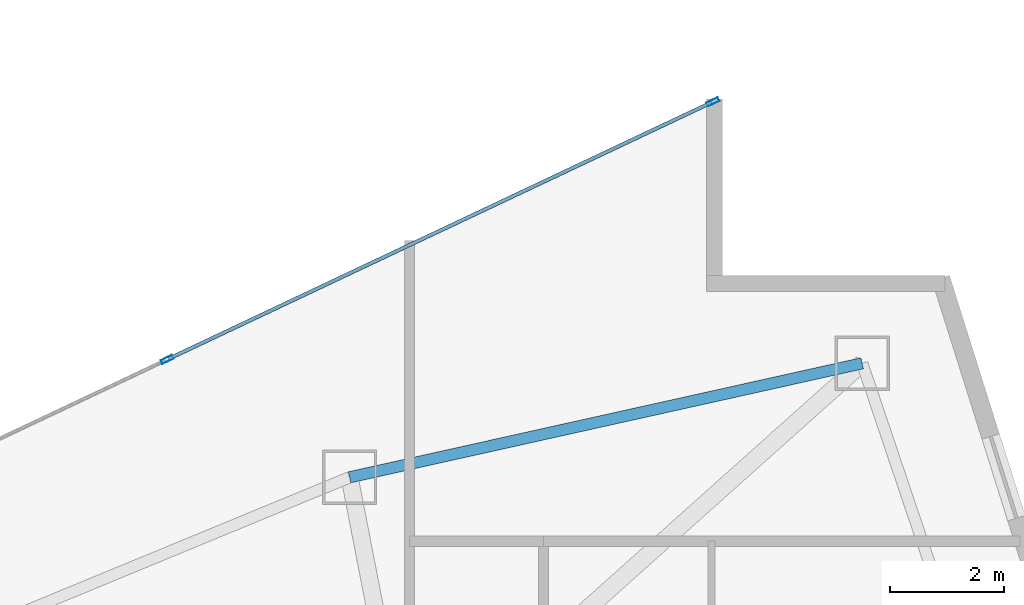
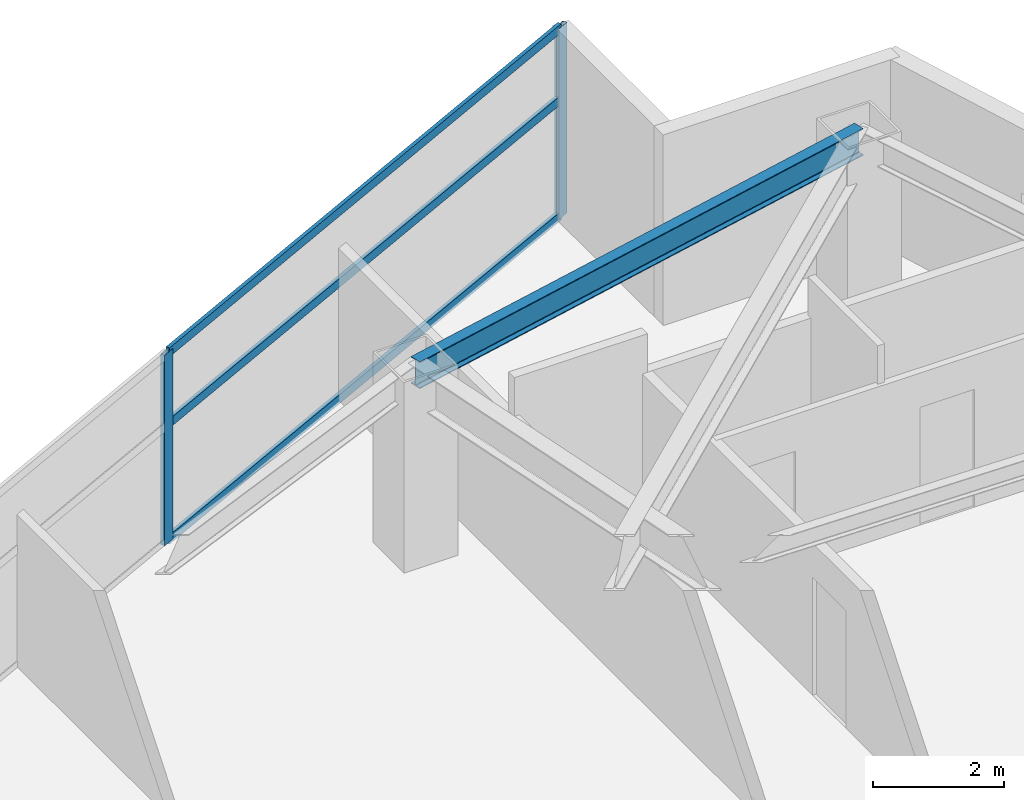
# One storey, part 20 of 29: 5 members, 1 beam, 1 element without a shape of its own.
"""IFC4 building model written with IfcOpenShell, lengths in metres."""

import ifcopenshell
import ifcopenshell.guid

model = None  # the IFC model being written
_history = None  # IfcOwnerHistory: only IFC2X3 demands one
_inside = {}  # id of a spatial element -> (the spatial element, [elements in it])
_under = {}  # id of a project, library or spatial element -> (it, [spatial elements below it])
_declared = {}  # id of a project -> (the project, [libraries it declares])
_typed = {}  # id of a type object -> (the type object, [elements of that type])
_made_of = {}  # id of a material, layer set ... -> (it, [elements and type objects made of it])


def new_model(schema):
    """Start an empty IFC model of exactly this schema.

    Asked for "IFC4X3", IfcOpenShell would pick the latest addendum, in which some entities
    have other attributes; the version numbers below select the first issue.
    IFC2X3 requires an IfcOwnerHistory on every rooted entity: one is made here for all.
    """
    global model, _history
    if schema == "IFC4X3":
        model = ifcopenshell.file(schema_version=(4, 3, 0, 0))
    else:
        model = ifcopenshell.file(schema=schema)
    _inside.clear()
    _under.clear()
    _declared.clear()
    _typed.clear()
    _made_of.clear()
    _history = None
    if model.schema == "IFC2X3":
        org = make("IfcOrganization", Name="unknown")
        user = make(
            "IfcPersonAndOrganization",
            ThePerson=make("IfcPerson", FamilyName="unknown"),
            TheOrganization=org,
        )
        app = make(
            "IfcApplication",
            ApplicationDeveloper=org,
            Version="unknown",
            ApplicationFullName="unknown",
            ApplicationIdentifier="unknown",
        )
        _history = make(
            "IfcOwnerHistory",
            OwningUser=user,
            OwningApplication=app,
            ChangeAction="ADDED",
            CreationDate=0,
        )
    return model


def make(cls, **values):
    """One entity of the class cls with the attributes given. An attribute that is None is left unset."""
    return model.create_entity(
        cls, **{name: value for name, value in values.items() if value is not None}
    )


def rooted(cls, **values):
    """An entity with a GlobalId (a new one), such as an element, a storey or a relation."""
    return make(cls, GlobalId=ifcopenshell.guid.new(), OwnerHistory=_history, **values)


def si_unit(unit_type, name, prefix=None):
    """IfcSIUnit, for example si_unit("LENGTHUNIT", "METRE", prefix="MILLI")."""
    return make("IfcSIUnit", UnitType=unit_type, Prefix=prefix, Name=name)


def assignment(units):
    """IfcUnitAssignment: the units of a project."""
    return None if units is None else make("IfcUnitAssignment", Units=units)


def point(xyz):
    """IfcCartesianPoint."""
    return None if xyz is None else make("IfcCartesianPoint", Coordinates=xyz)


def direction(xyz):
    """IfcDirection."""
    return None if xyz is None else make("IfcDirection", DirectionRatios=xyz)


def frame(location, z_axis=None, x_axis=None):
    """IfcAxis2Placement3D, a coordinate frame: its origin and axes. An axis left out is left unset."""
    return make(
        "IfcAxis2Placement3D",
        Location=point(location),
        Axis=direction(z_axis),
        RefDirection=direction(x_axis),
    )


def frame_2d(location, x_axis=None):
    """IfcAxis2Placement2D, a coordinate frame in the plane: its origin and x axis."""
    return make(
        "IfcAxis2Placement2D", Location=point(location), RefDirection=direction(x_axis)
    )


def origin():
    """The frame at (0, 0, 0) with its axes left unset."""
    return frame((0.0, 0.0, 0.0))


def origin_2d():
    """The frame at (0, 0) in the plane with its x axis left unset."""
    return frame_2d((0.0, 0.0))


def place(relative_to, where):
    """IfcLocalPlacement: puts the frame where relative to a parent placement (None: the world)."""
    return make(
        "IfcLocalPlacement", PlacementRelTo=relative_to, RelativePlacement=where
    )


def context(
    kind, dimensions, precision=None, world=None, true_north=None, identifier=None
):
    """IfcGeometricRepresentationContext, for example the 3D "Model" context."""
    return make(
        "IfcGeometricRepresentationContext",
        ContextIdentifier=identifier,
        ContextType=kind,
        CoordinateSpaceDimension=dimensions,
        Precision=precision,
        WorldCoordinateSystem=world,
        TrueNorth=true_north,
    )


def subcontext(parent, identifier, kind, view, scale=None):
    """IfcGeometricRepresentationSubContext, for example "Body" below "Model"."""
    return make(
        "IfcGeometricRepresentationSubContext",
        ContextIdentifier=identifier,
        ContextType=kind,
        ParentContext=parent,
        TargetScale=scale,
        TargetView=view,
    )


def project(units=None, contexts=None):
    """IfcProject with its units and contexts."""
    return rooted(
        "IfcProject",
        Name="project",
        RepresentationContexts=contexts,
        UnitsInContext=assignment(units),
    )


def spatial(cls, under=None, at=None, **own):
    """A site, building, storey or space (cls), placed at a placement, below another one or the project."""
    s = rooted(cls, ObjectPlacement=at, **own)
    if under is not None:
        _under.setdefault(under.id(), (under, []))[1].append(s)
    return s


def profile(cls, at=None, kind="AREA", **sizes):
    """A parametric profile (cls). Its sizes go by their IFC names, for example OverallWidth=200.0."""
    return make(cls, ProfileType=kind, Position=at, **sizes)


def hollow_rectangle(**sizes):
    """IfcRectangleHollowProfileDef."""
    return profile("IfcRectangleHollowProfileDef", **sizes)


def i_section(**sizes):
    """IfcIShapeProfileDef."""
    return profile("IfcIShapeProfileDef", **sizes)


def extrude(swept, where, along, depth):
    """IfcExtrudedAreaSolid: the profile swept, set in the frame where, extruded along a direction by depth."""
    return make(
        "IfcExtrudedAreaSolid",
        SweptArea=swept,
        Position=where,
        ExtrudedDirection=direction(along),
        Depth=depth,
    )


def shape(context_of_items, identifier, shape_type, items):
    """IfcShapeRepresentation: the items that make up one representation, for example the "Body"."""
    return make(
        "IfcShapeRepresentation",
        ContextOfItems=context_of_items,
        RepresentationIdentifier=identifier,
        RepresentationType=shape_type,
        Items=items,
    )


def material(Name=None, Category=None):
    """IfcMaterial."""
    return make("IfcMaterial", Name=Name, Category=Category)


def layer(
    of_material, thickness, ventilated=None, Name=None, Category=None, Priority=None
):
    """IfcMaterialLayer: one layer of a wall or slab, of a material (None: an air gap)."""
    return make(
        "IfcMaterialLayer",
        Material=of_material,
        LayerThickness=thickness,
        IsVentilated=ventilated,
        Name=Name,
        Category=Category,
        Priority=Priority,
    )


def layer_set(layers, Name=None):
    """IfcMaterialLayerSet."""
    return make("IfcMaterialLayerSet", MaterialLayers=layers, LayerSetName=Name)


def material_profile(
    of_material, cross_section, Name=None, Category=None, Priority=None
):
    """IfcMaterialProfile: a cross section and its material."""
    return make(
        "IfcMaterialProfile",
        Name=Name,
        Material=of_material,
        Profile=cross_section,
        Priority=Priority,
        Category=Category,
    )


def profile_set(profiles, Name=None, composite=None):
    """IfcMaterialProfileSet."""
    return make(
        "IfcMaterialProfileSet",
        Name=Name,
        MaterialProfiles=profiles,
        CompositeProfile=composite,
    )


def made_of(thing, what):
    """Note that an element or type object is made of a material, layer set ...; save() writes the relation."""
    if what is not None:
        _made_of.setdefault(what.id(), (what, []))[1].append(thing)
    return thing


def type_object(cls, material=None, **own):
    """A type object (cls), such as IfcWallType, which elements share."""
    return made_of(rooted(cls, **own), material)


def element(
    cls,
    number,
    at=None,
    inside=None,
    cuts=None,
    type_object=None,
    material=None,
    context=None,
    identifier="Body",
    shape_type=None,
    held_by="IfcProductDefinitionShape",
    body=None,
    shapes=None,
    **own,
):
    """One element of the class cls, such as IfcWall. Its Tag is "e" and its number.

    at: its placement. inside: the storey or other place that contains it. cuts: it is an
    opening in that element (IfcRelVoidsElement). A single representation is given by context,
    identifier, shape_type and body (its items); several are given by shapes. held_by: the class
    of the entity that holds the representations. save() writes the other relations.
    """
    e = rooted(cls, Tag="e%d" % number, ObjectPlacement=at, **own)
    if body is not None:
        shapes = [shape(context, identifier, shape_type, body)]
    if shapes is not None:
        e.Representation = make(held_by, Representations=shapes)
    if inside is not None:
        _inside.setdefault(inside.id(), (inside, []))[1].append(e)
    if cuts is not None:
        rooted(
            "IfcRelVoidsElement", RelatingBuildingElement=cuts, RelatedOpeningElement=e
        )
    if type_object is not None:
        _typed.setdefault(type_object.id(), (type_object, []))[1].append(e)
    return made_of(e, material)


def aggregate(whole, parts):
    """IfcRelAggregates: a whole, such as a stair, and the parts it consists of."""
    return rooted("IfcRelAggregates", RelatingObject=whole, RelatedObjects=parts)


def save(model, path):
    """Write the relations noted so far, then the file.

    IfcRelAggregates (storeys below a building ...), IfcRelContainedInSpatialStructure (elements
    in a storey), IfcRelDefinesByType, IfcRelAssociatesMaterial and IfcRelDeclares: one each for
    every whole, place, type object, material and project.
    """
    for whole, parts in _under.values():
        aggregate(whole, parts)
    for where, things in _inside.values():
        rooted(
            "IfcRelContainedInSpatialStructure",
            RelatedElements=things,
            RelatingStructure=where,
        )
    for kind, things in _typed.values():
        rooted("IfcRelDefinesByType", RelatedObjects=things, RelatingType=kind)
    for what, things in _made_of.values():
        rooted("IfcRelAssociatesMaterial", RelatedObjects=things, RelatingMaterial=what)
    for by, libraries in _declared.values():
        rooted("IfcRelDeclares", RelatingContext=by, RelatedDefinitions=libraries)
    model.write(path)


model = new_model("IFC4")

# Units and contexts
model_context = context("Model", 3, precision=1e-05, world=origin(), true_north=direction((0.0, 1.0)))
body_context = subcontext(model_context, "Body", "Model", "MODEL_VIEW")
ifc_project = project(units=[si_unit("LENGTHUNIT", "METRE"), si_unit("AREAUNIT", "SQUARE_METRE"), si_unit("VOLUMEUNIT", "CUBIC_METRE"), si_unit("PLANEANGLEUNIT", "RADIAN"), si_unit("MASSUNIT", "GRAM", prefix="KILO")], contexts=[model_context])

# Site, building, storey
site_placement = place(None, origin())
site = spatial("IfcSite", under=ifc_project, at=site_placement, CompositionType="ELEMENT")
building_placement = place(site_placement, origin())
building = spatial("IfcBuilding", under=site, at=building_placement, Name="Calvorn Quay Hotel", CompositionType="ELEMENT")
storey_placement = place(building_placement, frame((0.0, 0.0, 34.60009765625)))
storey = spatial("IfcBuildingStorey", under=building, at=storey_placement, Name="L07", CompositionType="ELEMENT", Elevation=34.60009765625)

# Beam
ifc_material_1 = material(Name="Steel Q355B", Category="steel")
ifc_material_profile_1 = material_profile(ifc_material_1, i_section(OverallWidth=0.199951171875, OverallDepth=0.5, WebThickness=0.010009765625, FlangeThickness=0.01611328125, FilletRadius=0.01611328125, at=origin_2d()), Name="HN500x200x10x16")
ifc_profile_set_1 = profile_set([ifc_material_profile_1], Name="Steel Q355B")
beam_type = type_object("IfcBeamType", Name="BM-SPANDREL-Z1", PredefinedType="SPANDREL", material=ifc_profile_set_1)
beam_placement = place(storey_placement, frame((52.990966796875, 33.39990234375, 3.289794921875), z_axis=(-0.976140886259, -0.217138136156, 0.0), x_axis=(0.217138136156, -0.976140886259, 0.0)))
element("IfcBeam", 1, at=beam_placement, inside=storey, type_object=beam_type, Name="Beam BSP-L07-E3", PredefinedType="SPANDREL", context=body_context, shape_type="SweptSolid", body=[
    extrude(i_section(OverallWidth=0.199951171875, OverallDepth=0.5, WebThickness=0.010009765625, FlangeThickness=0.01611328125, FilletRadius=0.01611328125, at=origin_2d()), origin(), (0.0, 0.0, 1.0), 9.210693359375),
])

# Curtain wall, members
ifc_material_2 = material(Name="Pale Anodised Aluminium and Low-E Glass", Category="aluminium")
ifc_layer = layer(ifc_material_2, 0.219970703125)
ifc_layer_set = layer_set([ifc_layer], Name="CW-SYS-Z1")
curtain_wall_type = type_object("IfcCurtainWallType", Name="CW-SYS-Z1", PredefinedType="NOTDEFINED", material=ifc_layer_set)
curtain_wall_placement = place(storey_placement, origin())
curtain_wall = element("IfcCurtainWall", 2, at=curtain_wall_placement, inside=storey, type_object=curtain_wall_type, Name="Inner Court Curtain Wall L07-NE1", PredefinedType="NOTDEFINED")
ifc_material_3 = material(Name="Pale Anodised Aluminium 6063-T6", Category="aluminium")
ifc_material_profile_2 = material_profile(ifc_material_3, hollow_rectangle(XDim=0.074951171875, YDim=0.219970703125, WallThickness=0.00439453125, at=origin_2d()), Name="ALU-M220x75x4.5")
ifc_profile_set_2 = profile_set([ifc_material_profile_2], Name="Pale Anodised Aluminium 6063-T6")
member_type_1 = type_object("IfcMemberType", Name="CW-SYS-Z1-MUL", PredefinedType="MULLION", material=ifc_profile_set_2)
member_1_placement = place(storey_placement, frame((50.372802734375, 37.9873046875, 0.0), z_axis=(0.0, 0.0, 1.0), x_axis=(0.427006305415, -0.904248646743, 0.0)))
member_1 = element("IfcMember", 3, at=member_1_placement, type_object=member_type_1, Name="CW-L07-NE1 mullion 1", PredefinedType="MULLION", context=body_context, shape_type="SweptSolid", body=[
    extrude(hollow_rectangle(XDim=0.074951171875, YDim=0.219970703125, WallThickness=0.00439453125, at=origin_2d()), origin(), (0.0, 0.0, 1.0), 3.559814453125),
])
member_2_placement = place(storey_placement, frame((40.800048828125, 33.466552734375, 0.0), z_axis=(0.0, 0.0, 1.0), x_axis=(0.427006305415, -0.904248646743, 0.0)))
member_2 = element("IfcMember", 4, at=member_2_placement, type_object=member_type_1, Name="CW-L07-NE1 mullion 2", PredefinedType="MULLION", context=body_context, shape_type="SweptSolid", body=[
    extrude(hollow_rectangle(XDim=0.074951171875, YDim=0.219970703125, WallThickness=0.00439453125, at=origin_2d()), origin(), (0.0, 0.0, 1.0), 3.559814453125),
])
ifc_material_4 = material(Name="Pale Anodised Aluminium 6063-T6", Category="aluminium")
ifc_material_profile_3 = material_profile(ifc_material_4, hollow_rectangle(XDim=0.06494140625, YDim=0.1650390625, WallThickness=0.00341796875, at=origin_2d()), Name="ALU-T165x65x3.5")
ifc_profile_set_3 = profile_set([ifc_material_profile_3], Name="Pale Anodised Aluminium 6063-T6")
member_type_2 = type_object("IfcMemberType", Name="CW-SYS-Z1-TRN", PredefinedType="USERDEFINED", material=ifc_profile_set_3)
member_3_placement = place(storey_placement, frame((50.345703125, 37.974365234375, 0.02978515625), z_axis=(-0.904248646746, -0.427006305408, 0.0), x_axis=(0.427006305408, -0.904248646746, 0.0)))
member_3 = element("IfcMember", 5, at=member_3_placement, type_object=member_type_2, Name="CW-L07-NE1 transom 1.1", ObjectType="TRANSOM", PredefinedType="USERDEFINED", context=body_context, shape_type="SweptSolid", body=[
    extrude(hollow_rectangle(XDim=0.06494140625, YDim=0.1650390625, WallThickness=0.00341796875, at=origin_2d()), origin(), (0.0, 0.0, 1.0), 10.5263671875),
])
member_4_placement = place(storey_placement, frame((50.345703125, 37.974365234375, 2.199951171875), z_axis=(-0.904248646746, -0.427006305408, 0.0), x_axis=(0.427006305408, -0.904248646746, 0.0)))
member_4 = element("IfcMember", 6, at=member_4_placement, type_object=member_type_2, Name="CW-L07-NE1 transom 1.2", ObjectType="TRANSOM", PredefinedType="USERDEFINED", context=body_context, shape_type="SweptSolid", body=[
    extrude(hollow_rectangle(XDim=0.06494140625, YDim=0.1650390625, WallThickness=0.00341796875, at=origin_2d()), origin(), (0.0, 0.0, 1.0), 10.5263671875),
])
member_5_placement = place(storey_placement, frame((50.345703125, 37.974365234375, 3.52978515625), z_axis=(-0.904248646746, -0.427006305408, 0.0), x_axis=(0.427006305408, -0.904248646746, 0.0)))
member_5 = element("IfcMember", 7, at=member_5_placement, type_object=member_type_2, Name="CW-L07-NE1 transom 1.3", ObjectType="TRANSOM", PredefinedType="USERDEFINED", context=body_context, shape_type="SweptSolid", body=[
    extrude(hollow_rectangle(XDim=0.06494140625, YDim=0.1650390625, WallThickness=0.00341796875, at=origin_2d()), origin(), (0.0, 0.0, 1.0), 10.5263671875),
])
aggregate(curtain_wall, [member_1, member_2, member_3, member_4, member_5])

save(model, "model.ifc")
